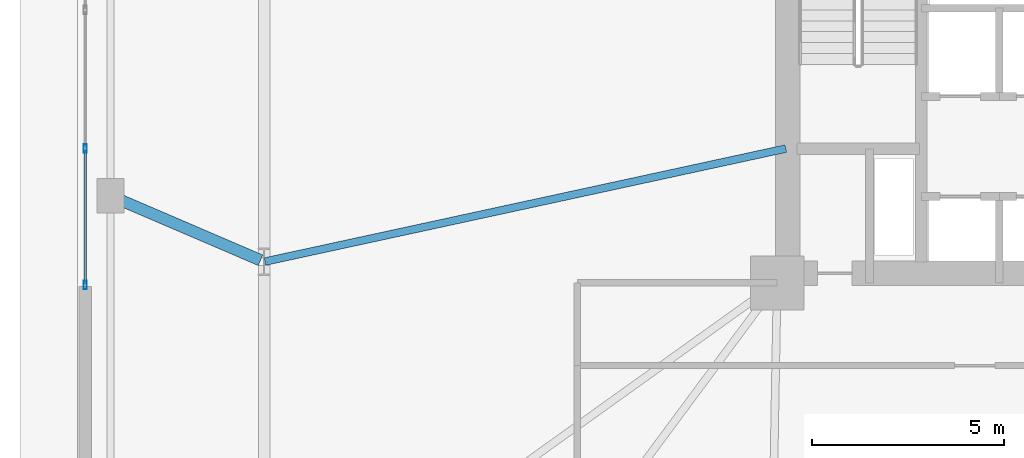
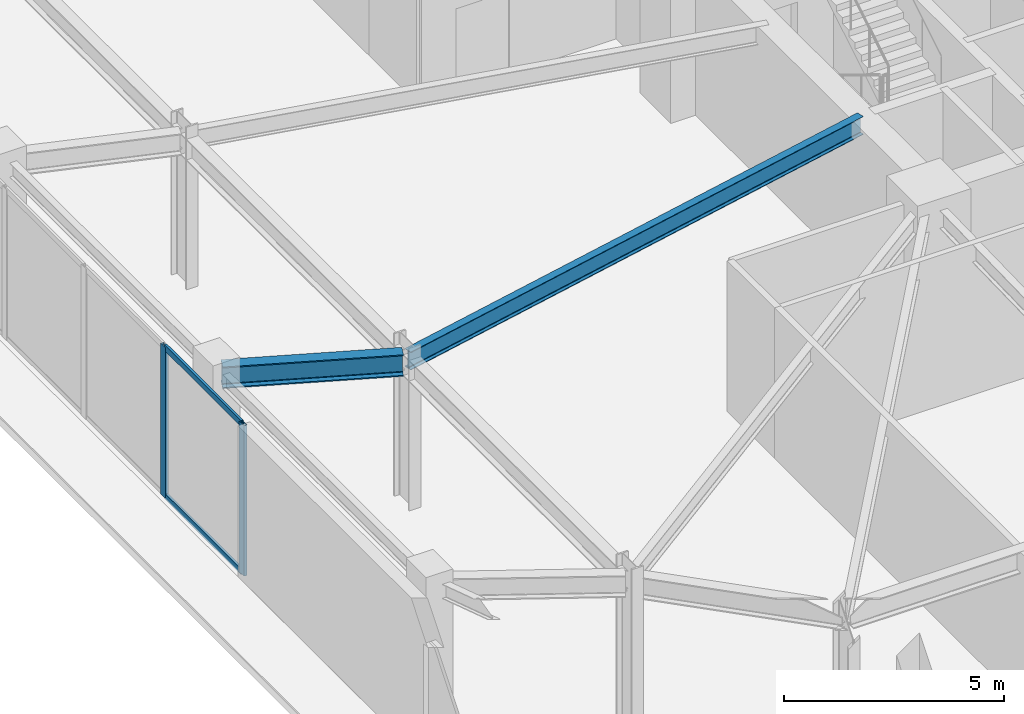
# One storey, part 5 of 21: 4 members, 2 beams, 1 element without a shape of its own.
"""IFC4 building model written with IfcOpenShell, lengths in metres."""

from ifc_helpers import new_model, si_unit, direction, frame, origin, origin_2d, place, context, subcontext, project, spatial, hollow_rectangle, i_section, extrude, material, layer, layer_set, material_profile, profile_set, type_object, element, aggregate, save


model = new_model("IFC4")

# Units and contexts
model_context = context("Model", 3, precision=1e-05, world=origin(), true_north=direction((0.0, 1.0)))
body_context = subcontext(model_context, "Body", "Model", "MODEL_VIEW")
ifc_project = project(units=[si_unit("LENGTHUNIT", "METRE"), si_unit("AREAUNIT", "SQUARE_METRE"), si_unit("VOLUMEUNIT", "CUBIC_METRE"), si_unit("PLANEANGLEUNIT", "RADIAN"), si_unit("MASSUNIT", "GRAM", prefix="KILO")], contexts=[model_context])

# Site, building, storey
site_placement = place(None, origin())
site = spatial("IfcSite", under=ifc_project, at=site_placement, CompositionType="ELEMENT")
building_placement = place(site_placement, origin())
building = spatial("IfcBuilding", under=site, at=building_placement, Name="Qobustan Lattice House", CompositionType="ELEMENT")
storey_placement = place(building_placement, frame((0.0, 0.0, 13.5)))
storey = spatial("IfcBuildingStorey", under=building, at=storey_placement, Name="L03", CompositionType="ELEMENT", Elevation=13.5)

# Beams
ifc_material_1 = material(Name="Steel S355", Category="steel")
ifc_material_profile_1 = material_profile(ifc_material_1, i_section(OverallWidth=0.199951171875, OverallDepth=0.5, WebThickness=0.01025390625, FlangeThickness=0.01611328125, FilletRadius=0.02099609375, at=origin_2d()), Name="IPE500")
ifc_profile_set_1 = profile_set([ifc_material_profile_1], Name="Steel S355")
beam_type_1 = type_object("IfcBeamType", Name="BM-FLG-IPE500", PredefinedType="USERDEFINED", material=ifc_profile_set_1)
beam_1_placement = place(storey_placement, frame((-32.12548828125, -5.044677734375, 3.919921875), z_axis=(0.97727240275, 0.211987383643, 0.0), x_axis=(-0.211987383643, 0.97727240275, 0.0)))
element("IfcBeam", 1, at=beam_1_placement, inside=storey, type_object=beam_type_1, Name="L03 primary floor girder RAD-W3", ObjectType="GIRDER", PredefinedType="USERDEFINED", context=body_context, shape_type="SweptSolid", body=[
    extrude(i_section(OverallWidth=0.199951171875, OverallDepth=0.5, WebThickness=0.01025390625, FlangeThickness=0.01611328125, FilletRadius=0.02099609375, at=origin_2d()), origin(), (0.0, 0.0, 1.0), 13.8662109375),
])
ifc_material_2 = material(Name="Steel S355", Category="steel")
ifc_material_profile_2 = material_profile(ifc_material_2, i_section(OverallWidth=0.300048828125, OverallDepth=0.60009765625, WebThickness=0.015380859375, FlangeThickness=0.030029296875, FilletRadius=0.027099609375, at=origin_2d()), Name="HEB600")
ifc_profile_set_2 = profile_set([ifc_material_profile_2], Name="Steel S355")
beam_type_2 = type_object("IfcBeamType", Name="BM-POD-HEB600", PredefinedType="USERDEFINED", material=ifc_profile_set_2)
beam_2_placement = place(storey_placement, frame((-36.039794921875, -3.380615234375, 3.8701171875), z_axis=(0.918949362679, -0.394375542893, 0.0), x_axis=(0.394375542893, 0.918949362679, 0.0)))
element("IfcBeam", 2, at=beam_2_placement, inside=storey, type_object=beam_type_2, Name="L03 podium radial girder PW2", ObjectType="GIRDER", PredefinedType="USERDEFINED", context=body_context, shape_type="SweptSolid", body=[
    extrude(i_section(OverallWidth=0.300048828125, OverallDepth=0.60009765625, WebThickness=0.015380859375, FlangeThickness=0.030029296875, FilletRadius=0.027099609375, at=origin_2d()), origin(), (0.0, 0.0, 1.0), 4.1328125),
])

# Curtain wall, members
ifc_material_3 = material(Name="Anodised aluminium and low-E glazing", Category="aluminium")
ifc_layer = layer(ifc_material_3, 0.219970703125)
ifc_layer_set = layer_set([ifc_layer], Name="Anodised aluminium and low-E glazing")
curtain_wall_type = type_object("IfcCurtainWallType", Name="CW-POD-01", PredefinedType="USERDEFINED", material=ifc_layer_set)
curtain_wall_placement = place(storey_placement, origin())
curtain_wall = element("IfcCurtainWall", 3, at=curtain_wall_placement, inside=storey, type_object=curtain_wall_type, Name="L03 W podium colonnade curtain wall", ObjectType="CURTAIN WALL", PredefinedType="USERDEFINED")
ifc_material_4 = material(Name="Anodised aluminium EN AW-6063 T6", Category="aluminium")
ifc_material_profile_3 = material_profile(ifc_material_4, hollow_rectangle(XDim=0.080078125, YDim=0.219970703125, WallThickness=0.0048828125, at=origin_2d()), Name="CWM-220x80")
ifc_profile_set_3 = profile_set([ifc_material_profile_3], Name="Anodised aluminium EN AW-6063 T6")
member_type_1 = type_object("IfcMemberType", Name="CWM-MAIN-220", PredefinedType="MULLION", material=ifc_profile_set_3)
member_1_placement = place(storey_placement, frame((-36.800048828125, -5.659912109375, 0.0), z_axis=(0.0, 0.0, 1.0), x_axis=(-1.0, 0.0, 0.0)))
member_1 = element("IfcMember", 4, at=member_1_placement, type_object=member_type_1, Name="CW-P1 mullion 1", PredefinedType="MULLION", context=body_context, shape_type="SweptSolid", body=[
    extrude(hollow_rectangle(XDim=0.080078125, YDim=0.219970703125, WallThickness=0.0048828125, at=origin_2d()), origin(), (0.0, 0.0, 1.0), 4.169921875),
])
member_2_placement = place(storey_placement, frame((-36.800048828125, -2.10009765625, 0.0), z_axis=(0.0, 0.0, 1.0), x_axis=(-1.0, 0.0, 0.0)))
member_2 = element("IfcMember", 5, at=member_2_placement, type_object=member_type_1, Name="CW-P1 mullion 2", PredefinedType="MULLION", context=body_context, shape_type="SweptSolid", body=[
    extrude(hollow_rectangle(XDim=0.080078125, YDim=0.219970703125, WallThickness=0.0048828125, at=origin_2d()), origin(), (0.0, 0.0, 1.0), 4.169921875),
])
ifc_material_5 = material(Name="Anodised aluminium EN AW-6063 T6", Category="aluminium")
ifc_material_profile_4 = material_profile(ifc_material_5, hollow_rectangle(XDim=0.06494140625, YDim=0.159912109375, WallThickness=0.00390625, at=origin_2d()), Name="CWT-160x65")
ifc_profile_set_4 = profile_set([ifc_material_profile_4], Name="Anodised aluminium EN AW-6063 T6")
member_type_2 = type_object("IfcMemberType", Name="CWT-HOR-160", PredefinedType="USERDEFINED", material=ifc_profile_set_4)
member_3_placement = place(storey_placement, frame((-36.800048828125, -5.6201171875, 0.032470703125), z_axis=(0.0, 1.0, 0.0), x_axis=(-1.0, 0.0, 0.0)))
member_3 = element("IfcMember", 6, at=member_3_placement, type_object=member_type_2, Name="CW-P1 transom 1.1", ObjectType="TRANSOM", PredefinedType="USERDEFINED", context=body_context, shape_type="SweptSolid", body=[
    extrude(hollow_rectangle(XDim=0.06494140625, YDim=0.159912109375, WallThickness=0.00390625, at=origin_2d()), origin(), (0.0, 0.0, 1.0), 3.480224609375),
])
member_4_placement = place(storey_placement, frame((-36.800048828125, -5.6201171875, 4.137451171875), z_axis=(0.0, 1.0, 0.0), x_axis=(-1.0, 0.0, 0.0)))
member_4 = element("IfcMember", 7, at=member_4_placement, type_object=member_type_2, Name="CW-P1 transom 1.2", ObjectType="TRANSOM", PredefinedType="USERDEFINED", context=body_context, shape_type="SweptSolid", body=[
    extrude(hollow_rectangle(XDim=0.06494140625, YDim=0.159912109375, WallThickness=0.00390625, at=origin_2d()), origin(), (0.0, 0.0, 1.0), 3.480224609375),
])
aggregate(curtain_wall, [member_1, member_2, member_3, member_4])

save(model, "model.ifc")
